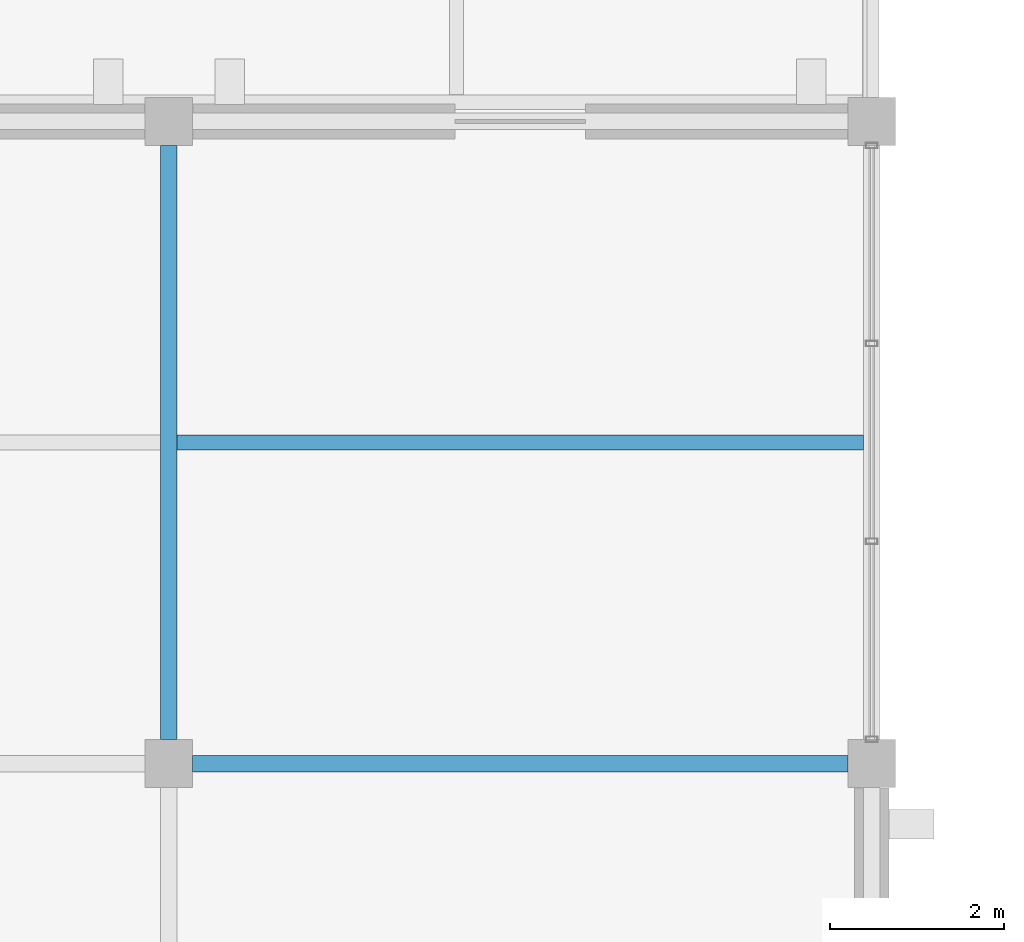
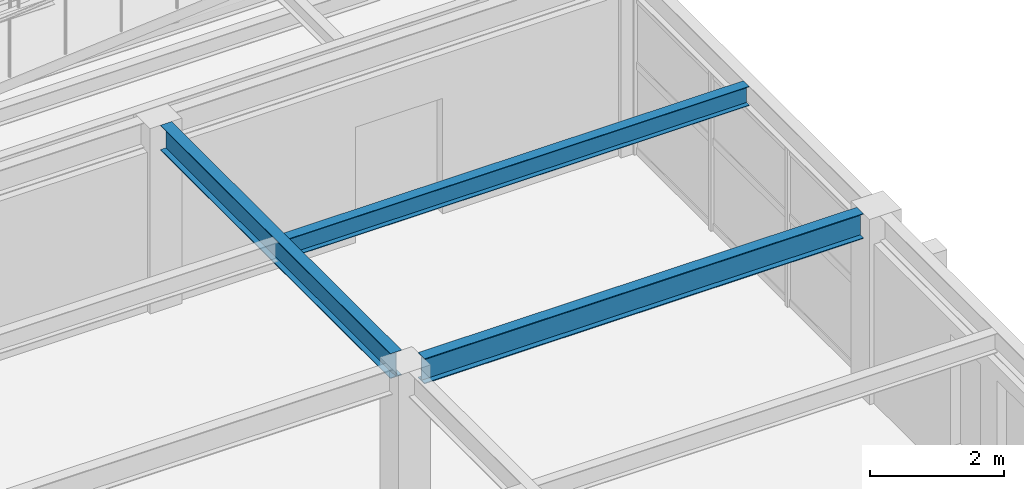
# One storey, part 69 of 121: 3 beams.
"""IFC4 building model written with IfcOpenShell, lengths in metres."""

from ifc_helpers import new_model, si_unit, direction, frame, origin, origin_2d, place, context, subcontext, project, spatial, i_section, extrude, material, material_profile, profile_set, type_object, element, save


model = new_model("IFC4")

# Units and contexts
model_context = context("Model", 3, precision=1e-05, world=origin(), true_north=direction((0.0, 1.0)))
body_context = subcontext(model_context, "Body", "Model", "MODEL_VIEW")
ifc_project = project(units=[si_unit("LENGTHUNIT", "METRE"), si_unit("AREAUNIT", "SQUARE_METRE"), si_unit("VOLUMEUNIT", "CUBIC_METRE"), si_unit("PLANEANGLEUNIT", "RADIAN"), si_unit("MASSUNIT", "GRAM", prefix="KILO")], contexts=[model_context])

# Site, building, storey
site_placement = place(None, origin())
site = spatial("IfcSite", under=ifc_project, at=site_placement, CompositionType="ELEMENT")
building_placement = place(site_placement, origin())
building = spatial("IfcBuilding", under=site, at=building_placement, Name="Cimatlan Art Gallery", CompositionType="ELEMENT")
storey_placement = place(building_placement, frame((0.0, 0.0, 10.199951171875)))
storey = spatial("IfcBuildingStorey", under=building, at=storey_placement, Name="L02", CompositionType="ELEMENT", Elevation=10.199951171875)

# Beams
ifc_material = material(Name="Steel ASTM A992 Grade 50", Category="steel")
ifc_material_profile_1 = material_profile(ifc_material, i_section(OverallWidth=0.1708984375, OverallDepth=0.35107421875, WebThickness=0.0068359375, FlangeThickness=0.009765625, at=origin_2d()), Name="W14X30")
ifc_profile_set_1 = profile_set([ifc_material_profile_1], Name="Steel ASTM A992 Grade 50")
beam_type_1 = type_object("IfcBeamType", Name="BM-STL-W14X30", PredefinedType="JOIST", material=ifc_profile_set_1)
beam_1_placement = place(storey_placement, frame((123.595458984375, 79.39990234375, 3.194580078125), z_axis=(1.0, 0.0, 0.0), x_axis=(0.0, 1.0, 0.0)))
element("IfcBeam", 1, at=beam_1_placement, inside=storey, type_object=beam_type_1, Name="JST-L02-15-10", PredefinedType="JOIST", context=body_context, shape_type="SweptSolid", body=[
    extrude(i_section(OverallWidth=0.1708984375, OverallDepth=0.35107421875, WebThickness=0.0068359375, FlangeThickness=0.009765625, at=origin_2d()), origin(), (0.0, 0.0, 1.0), 7.908935546875),
])
ifc_material_profile_2 = material_profile(ifc_material, i_section(OverallWidth=0.19091796875, OverallDepth=0.45703125, WebThickness=0.009033203125, FlangeThickness=0.014404296875, at=origin_2d()), Name="W18X50")
ifc_profile_set_2 = profile_set([ifc_material_profile_2], Name="Steel ASTM A992 Grade 50")
beam_type_2 = type_object("IfcBeamType", Name="BM-STL-W18X50", PredefinedType="BEAM", material=ifc_profile_set_2)
beam_2_placement = place(storey_placement, frame((123.5, 75.97509765625, 3.1416015625), z_axis=(0.0, 1.0, 0.0), x_axis=(-1.0, 0.0, 0.0)))
element("IfcBeam", 2, at=beam_2_placement, inside=storey, type_object=beam_type_2, Name="BM-Y-L02-15-10", PredefinedType="BEAM", context=body_context, shape_type="SweptSolid", body=[
    extrude(i_section(OverallWidth=0.19091796875, OverallDepth=0.45703125, WebThickness=0.009033203125, FlangeThickness=0.014404296875, at=origin_2d()), origin(), (0.0, 0.0, 1.0), 6.849853515625),
])
beam_3_placement = place(storey_placement, frame((123.77490234375, 75.699951171875, 3.1416015625), z_axis=(1.0, 0.0, 0.0), x_axis=(0.0, 1.0, 0.0)))
element("IfcBeam", 3, at=beam_3_placement, inside=storey, type_object=beam_type_2, Name="BM-X-L02-15-10", PredefinedType="BEAM", context=body_context, shape_type="SweptSolid", body=[
    extrude(i_section(OverallWidth=0.19091796875, OverallDepth=0.45703125, WebThickness=0.009033203125, FlangeThickness=0.014404296875, at=origin_2d()), origin(), (0.0, 0.0, 1.0), 7.550048828125),
])

save(model, "model.ifc")
